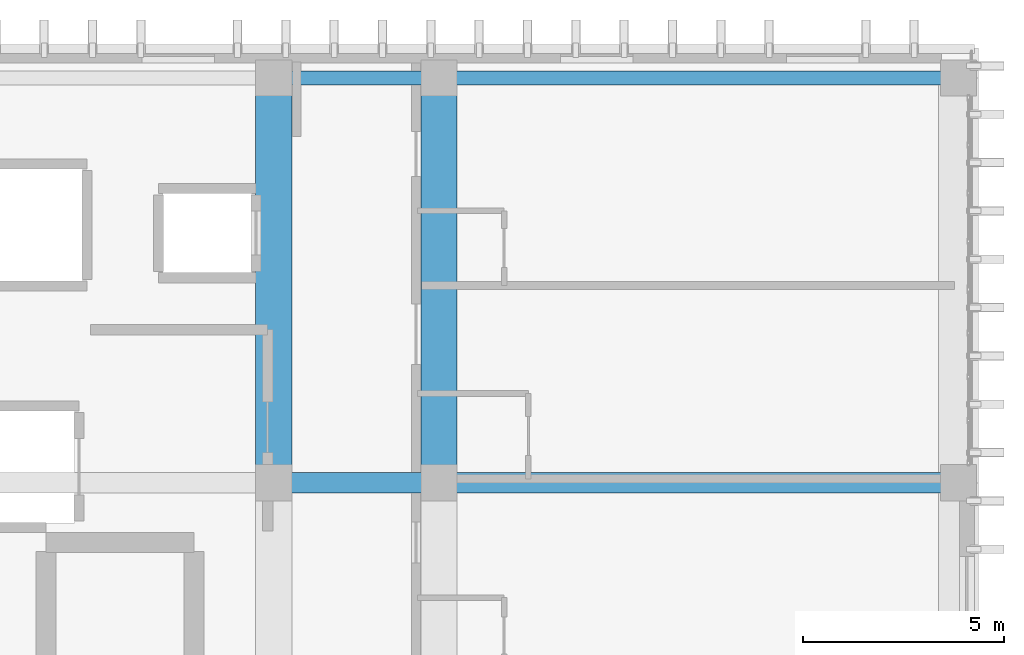
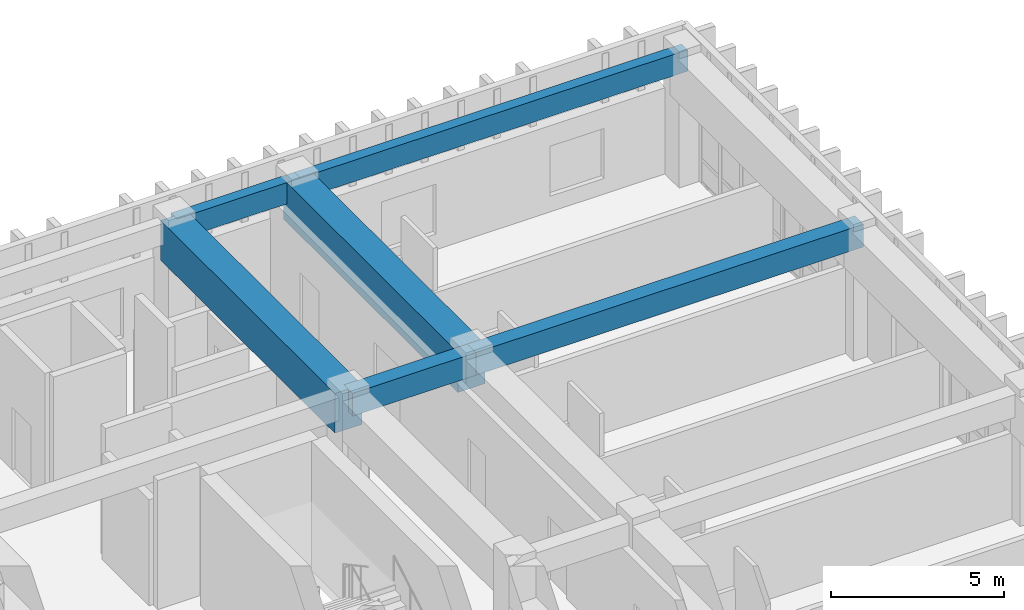
# One storey, part 59 of 101: 6 beams.
"""IFC4 building model written with IfcOpenShell, lengths in metres."""

import ifcopenshell
import ifcopenshell.guid

model = None  # the IFC model being written
_history = None  # IfcOwnerHistory: only IFC2X3 demands one
_inside = {}  # id of a spatial element -> (the spatial element, [elements in it])
_under = {}  # id of a project, library or spatial element -> (it, [spatial elements below it])
_declared = {}  # id of a project -> (the project, [libraries it declares])
_typed = {}  # id of a type object -> (the type object, [elements of that type])
_made_of = {}  # id of a material, layer set ... -> (it, [elements and type objects made of it])


def new_model(schema):
    """Start an empty IFC model of exactly this schema.

    Asked for "IFC4X3", IfcOpenShell would pick the latest addendum, in which some entities
    have other attributes; the version numbers below select the first issue.
    IFC2X3 requires an IfcOwnerHistory on every rooted entity: one is made here for all.
    """
    global model, _history
    if schema == "IFC4X3":
        model = ifcopenshell.file(schema_version=(4, 3, 0, 0))
    else:
        model = ifcopenshell.file(schema=schema)
    _inside.clear()
    _under.clear()
    _declared.clear()
    _typed.clear()
    _made_of.clear()
    _history = None
    if model.schema == "IFC2X3":
        org = make("IfcOrganization", Name="unknown")
        user = make(
            "IfcPersonAndOrganization",
            ThePerson=make("IfcPerson", FamilyName="unknown"),
            TheOrganization=org,
        )
        app = make(
            "IfcApplication",
            ApplicationDeveloper=org,
            Version="unknown",
            ApplicationFullName="unknown",
            ApplicationIdentifier="unknown",
        )
        _history = make(
            "IfcOwnerHistory",
            OwningUser=user,
            OwningApplication=app,
            ChangeAction="ADDED",
            CreationDate=0,
        )
    return model


def make(cls, **values):
    """One entity of the class cls with the attributes given. An attribute that is None is left unset."""
    return model.create_entity(
        cls, **{name: value for name, value in values.items() if value is not None}
    )


def rooted(cls, **values):
    """An entity with a GlobalId (a new one), such as an element, a storey or a relation."""
    return make(cls, GlobalId=ifcopenshell.guid.new(), OwnerHistory=_history, **values)


def si_unit(unit_type, name, prefix=None):
    """IfcSIUnit, for example si_unit("LENGTHUNIT", "METRE", prefix="MILLI")."""
    return make("IfcSIUnit", UnitType=unit_type, Prefix=prefix, Name=name)


def assignment(units):
    """IfcUnitAssignment: the units of a project."""
    return None if units is None else make("IfcUnitAssignment", Units=units)


def point(xyz):
    """IfcCartesianPoint."""
    return None if xyz is None else make("IfcCartesianPoint", Coordinates=xyz)


def direction(xyz):
    """IfcDirection."""
    return None if xyz is None else make("IfcDirection", DirectionRatios=xyz)


def frame(location, z_axis=None, x_axis=None):
    """IfcAxis2Placement3D, a coordinate frame: its origin and axes. An axis left out is left unset."""
    return make(
        "IfcAxis2Placement3D",
        Location=point(location),
        Axis=direction(z_axis),
        RefDirection=direction(x_axis),
    )


def frame_2d(location, x_axis=None):
    """IfcAxis2Placement2D, a coordinate frame in the plane: its origin and x axis."""
    return make(
        "IfcAxis2Placement2D", Location=point(location), RefDirection=direction(x_axis)
    )


def origin():
    """The frame at (0, 0, 0) with its axes left unset."""
    return frame((0.0, 0.0, 0.0))


def origin_2d():
    """The frame at (0, 0) in the plane with its x axis left unset."""
    return frame_2d((0.0, 0.0))


def place(relative_to, where):
    """IfcLocalPlacement: puts the frame where relative to a parent placement (None: the world)."""
    return make(
        "IfcLocalPlacement", PlacementRelTo=relative_to, RelativePlacement=where
    )


def context(
    kind, dimensions, precision=None, world=None, true_north=None, identifier=None
):
    """IfcGeometricRepresentationContext, for example the 3D "Model" context."""
    return make(
        "IfcGeometricRepresentationContext",
        ContextIdentifier=identifier,
        ContextType=kind,
        CoordinateSpaceDimension=dimensions,
        Precision=precision,
        WorldCoordinateSystem=world,
        TrueNorth=true_north,
    )


def subcontext(parent, identifier, kind, view, scale=None):
    """IfcGeometricRepresentationSubContext, for example "Body" below "Model"."""
    return make(
        "IfcGeometricRepresentationSubContext",
        ContextIdentifier=identifier,
        ContextType=kind,
        ParentContext=parent,
        TargetScale=scale,
        TargetView=view,
    )


def project(units=None, contexts=None):
    """IfcProject with its units and contexts."""
    return rooted(
        "IfcProject",
        Name="project",
        RepresentationContexts=contexts,
        UnitsInContext=assignment(units),
    )


def spatial(cls, under=None, at=None, **own):
    """A site, building, storey or space (cls), placed at a placement, below another one or the project."""
    s = rooted(cls, ObjectPlacement=at, **own)
    if under is not None:
        _under.setdefault(under.id(), (under, []))[1].append(s)
    return s


def profile(cls, at=None, kind="AREA", **sizes):
    """A parametric profile (cls). Its sizes go by their IFC names, for example OverallWidth=200.0."""
    return make(cls, ProfileType=kind, Position=at, **sizes)


def rectangle(**sizes):
    """IfcRectangleProfileDef."""
    return profile("IfcRectangleProfileDef", **sizes)


def extrude(swept, where, along, depth):
    """IfcExtrudedAreaSolid: the profile swept, set in the frame where, extruded along a direction by depth."""
    return make(
        "IfcExtrudedAreaSolid",
        SweptArea=swept,
        Position=where,
        ExtrudedDirection=direction(along),
        Depth=depth,
    )


def shape(context_of_items, identifier, shape_type, items):
    """IfcShapeRepresentation: the items that make up one representation, for example the "Body"."""
    return make(
        "IfcShapeRepresentation",
        ContextOfItems=context_of_items,
        RepresentationIdentifier=identifier,
        RepresentationType=shape_type,
        Items=items,
    )


def material(Name=None, Category=None):
    """IfcMaterial."""
    return make("IfcMaterial", Name=Name, Category=Category)


def material_profile(
    of_material, cross_section, Name=None, Category=None, Priority=None
):
    """IfcMaterialProfile: a cross section and its material."""
    return make(
        "IfcMaterialProfile",
        Name=Name,
        Material=of_material,
        Profile=cross_section,
        Priority=Priority,
        Category=Category,
    )


def profile_set(profiles, Name=None, composite=None):
    """IfcMaterialProfileSet."""
    return make(
        "IfcMaterialProfileSet",
        Name=Name,
        MaterialProfiles=profiles,
        CompositeProfile=composite,
    )


def made_of(thing, what):
    """Note that an element or type object is made of a material, layer set ...; save() writes the relation."""
    if what is not None:
        _made_of.setdefault(what.id(), (what, []))[1].append(thing)
    return thing


def type_object(cls, material=None, **own):
    """A type object (cls), such as IfcWallType, which elements share."""
    return made_of(rooted(cls, **own), material)


def element(
    cls,
    number,
    at=None,
    inside=None,
    cuts=None,
    type_object=None,
    material=None,
    context=None,
    identifier="Body",
    shape_type=None,
    held_by="IfcProductDefinitionShape",
    body=None,
    shapes=None,
    **own,
):
    """One element of the class cls, such as IfcWall. Its Tag is "e" and its number.

    at: its placement. inside: the storey or other place that contains it. cuts: it is an
    opening in that element (IfcRelVoidsElement). A single representation is given by context,
    identifier, shape_type and body (its items); several are given by shapes. held_by: the class
    of the entity that holds the representations. save() writes the other relations.
    """
    e = rooted(cls, Tag="e%d" % number, ObjectPlacement=at, **own)
    if body is not None:
        shapes = [shape(context, identifier, shape_type, body)]
    if shapes is not None:
        e.Representation = make(held_by, Representations=shapes)
    if inside is not None:
        _inside.setdefault(inside.id(), (inside, []))[1].append(e)
    if cuts is not None:
        rooted(
            "IfcRelVoidsElement", RelatingBuildingElement=cuts, RelatedOpeningElement=e
        )
    if type_object is not None:
        _typed.setdefault(type_object.id(), (type_object, []))[1].append(e)
    return made_of(e, material)


def aggregate(whole, parts):
    """IfcRelAggregates: a whole, such as a stair, and the parts it consists of."""
    return rooted("IfcRelAggregates", RelatingObject=whole, RelatedObjects=parts)


def save(model, path):
    """Write the relations noted so far, then the file.

    IfcRelAggregates (storeys below a building ...), IfcRelContainedInSpatialStructure (elements
    in a storey), IfcRelDefinesByType, IfcRelAssociatesMaterial and IfcRelDeclares: one each for
    every whole, place, type object, material and project.
    """
    for whole, parts in _under.values():
        aggregate(whole, parts)
    for where, things in _inside.values():
        rooted(
            "IfcRelContainedInSpatialStructure",
            RelatedElements=things,
            RelatingStructure=where,
        )
    for kind, things in _typed.values():
        rooted("IfcRelDefinesByType", RelatedObjects=things, RelatingType=kind)
    for what, things in _made_of.values():
        rooted("IfcRelAssociatesMaterial", RelatedObjects=things, RelatingMaterial=what)
    for by, libraries in _declared.values():
        rooted("IfcRelDeclares", RelatingContext=by, RelatedDefinitions=libraries)
    model.write(path)


model = new_model("IFC4")

# Units and contexts
model_context = context("Model", 3, precision=1e-05, world=origin(), true_north=direction((0.0, 1.0)))
body_context = subcontext(model_context, "Body", "Model", "MODEL_VIEW")
ifc_project = project(units=[si_unit("LENGTHUNIT", "METRE"), si_unit("AREAUNIT", "SQUARE_METRE"), si_unit("VOLUMEUNIT", "CUBIC_METRE"), si_unit("PLANEANGLEUNIT", "RADIAN"), si_unit("MASSUNIT", "GRAM", prefix="KILO")], contexts=[model_context])

# Site, building, storey
site_placement = place(None, origin())
site = spatial("IfcSite", under=ifc_project, at=site_placement, CompositionType="ELEMENT")
building_placement = place(site_placement, origin())
building = spatial("IfcBuilding", under=site, at=building_placement, Name="Nakhvara Creek Congress Hotel", CompositionType="ELEMENT")
storey_placement = place(building_placement, frame((0.0, 0.0, 16.199951171875)))
storey = spatial("IfcBuildingStorey", under=building, at=storey_placement, Name="L03", CompositionType="ELEMENT", Elevation=16.199951171875)

# Beams
ifc_material_1 = material(Name="Concrete C40/50", Category="concrete")
ifc_material_profile_1 = material_profile(ifc_material_1, rectangle(XDim=0.5, YDim=0.800048828125, at=origin_2d()), Name="RC-BM 500x800", Category="LoadBearing")
ifc_profile_set_1 = profile_set([ifc_material_profile_1], Name="Concrete C40/50")
beam_type_1 = type_object("IfcBeamType", Name="BM-RC-500X800", PredefinedType="BEAM", material=ifc_profile_set_1)
beam_1_placement = place(storey_placement, frame((162.35009765625, 115.199951171875, 4.14013671875), z_axis=(1.0, 0.0, 0.0), x_axis=(0.0, 1.0, 0.0)))
element("IfcBeam", 1, at=beam_1_placement, inside=storey, type_object=beam_type_1, Name="Beam B03-L03-1869", PredefinedType="BEAM", context=body_context, shape_type="SweptSolid", body=[
    extrude(rectangle(XDim=0.5, YDim=0.800048828125, at=origin_2d()), origin(), (0.0, 0.0, 1.0), 4.099853515625),
])
beam_2_placement = place(storey_placement, frame((166.449951171875, 115.199951171875, 4.14013671875), z_axis=(1.0, 0.0, 0.0), x_axis=(0.0, 1.0, 0.0)))
element("IfcBeam", 2, at=beam_2_placement, inside=storey, type_object=beam_type_1, Name="Beam B03-L03-1894", PredefinedType="BEAM", context=body_context, shape_type="SweptSolid", body=[
    extrude(rectangle(XDim=0.5, YDim=0.800048828125, at=origin_2d()), origin(), (0.0, 0.0, 1.0), 12.900146484375),
])
ifc_material_profile_2 = material_profile(ifc_material_1, rectangle(XDim=0.35009765625, YDim=0.75, at=origin_2d()), Name="RC-SPANDREL 350x750", Category="LoadBearing")
ifc_profile_set_2 = profile_set([ifc_material_profile_2], Name="Concrete C40/50")
beam_type_2 = type_object("IfcBeamType", Name="BM-SPN-350X750", PredefinedType="SPANDREL", material=ifc_profile_set_2)
beam_3_placement = place(storey_placement, frame((162.35009765625, 125.25, 4.1650390625), z_axis=(1.0, 0.0, 0.0), x_axis=(0.0, 1.0, 0.0)))
element("IfcBeam", 3, at=beam_3_placement, inside=storey, type_object=beam_type_2, Name="Beam SP1-L03-1870", PredefinedType="SPANDREL", context=body_context, shape_type="SweptSolid", body=[
    extrude(rectangle(XDim=0.35009765625, YDim=0.75, at=origin_2d()), origin(), (0.0, 0.0, 1.0), 4.099853515625),
])
beam_4_placement = place(storey_placement, frame((166.449951171875, 125.25, 4.1650390625), z_axis=(1.0, 0.0, 0.0), x_axis=(0.0, 1.0, 0.0)))
element("IfcBeam", 4, at=beam_4_placement, inside=storey, type_object=beam_type_2, Name="Beam SP1-L03-1895", PredefinedType="SPANDREL", context=body_context, shape_type="SweptSolid", body=[
    extrude(rectangle(XDim=0.35009765625, YDim=0.75, at=origin_2d()), origin(), (0.0, 0.0, 1.0), 12.900146484375),
])
ifc_material_2 = material(Name="Concrete C50/60", Category="concrete")
ifc_material_profile_3 = material_profile(ifc_material_2, rectangle(XDim=0.89990234375, YDim=1.39990234375, at=origin_2d()), Name="RC-TG 900x1400", Category="LoadBearing")
ifc_profile_set_3 = profile_set([ifc_material_profile_3], Name="Concrete C50/60")
beam_type_3 = type_object("IfcBeamType", Name="BM-TG1-1400", PredefinedType="BEAM", material=ifc_profile_set_3)
for number, where, z_axis, x_axis, name in (
    (5, (162.35009765625, 115.199951171875, 3.840087890625), (0.0, 1.0, 0.0), (-1.0, 0.0, 0.0), "Transfer Girder TG1-L03-1868"),
    (6, (166.449951171875, 115.199951171875, 3.840087890625), (0.0, 1.0, 0.0), (-1.0, 0.0, 0.0), "Transfer Girder TG1-L03-1893"),
):
    element("IfcBeam", number, at=place(storey_placement, frame(where, z_axis=z_axis, x_axis=x_axis)), inside=storey, type_object=beam_type_3, Name=name, PredefinedType="BEAM", context=body_context, shape_type="SweptSolid", body=[
        extrude(rectangle(XDim=0.89990234375, YDim=1.39990234375, at=origin_2d()), origin(), (0.0, 0.0, 1.0), 10.050048828125),
    ])

save(model, "model.ifc")
